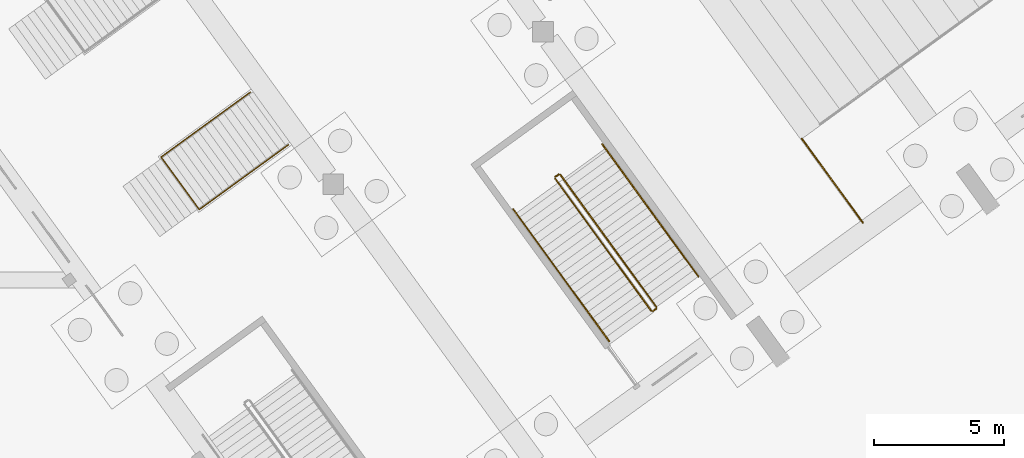
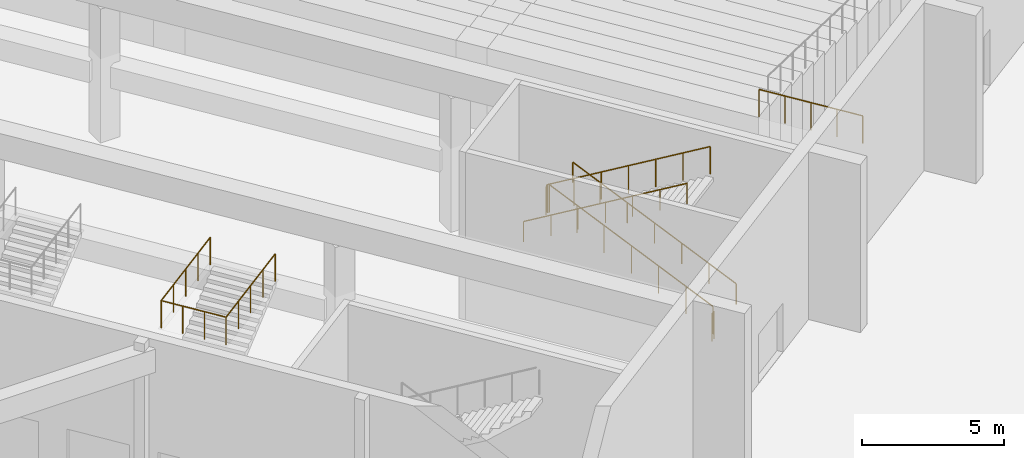
# One storey, part 230 of 239: 8 railings.
"""IFC4 building model written with IfcOpenShell, lengths in metres."""

from ifc_helpers import new_model, si_unit, direction, frame, origin, origin_2d, place, context, subcontext, project, spatial, circle, extrude, material, type_object, element, save


model = new_model("IFC4")

# Units and contexts
model_context = context("Model", 3, precision=1e-05, world=origin(), true_north=direction((0.0, 1.0)))
body_context = subcontext(model_context, "Body", "Model", "MODEL_VIEW")
ifc_project = project(units=[si_unit("LENGTHUNIT", "METRE"), si_unit("AREAUNIT", "SQUARE_METRE"), si_unit("VOLUMEUNIT", "CUBIC_METRE"), si_unit("PLANEANGLEUNIT", "RADIAN"), si_unit("MASSUNIT", "GRAM", prefix="KILO")], contexts=[model_context])

# Site, building, storey
site_placement = place(None, origin())
site = spatial("IfcSite", under=ifc_project, at=site_placement, CompositionType="ELEMENT")
building_placement = place(site_placement, origin())
building = spatial("IfcBuilding", under=site, at=building_placement, Name="Okhra Congress Centre", CompositionType="ELEMENT")
storey_placement = place(building_placement, origin())
storey = spatial("IfcBuildingStorey", under=building, at=storey_placement, Name="L00", CompositionType="ELEMENT", Elevation=0.0)

# Railings
ifc_material_1 = material(Name="Painted steel tube guard with vertical steel balusters", Category="steel")
railing_type_1 = type_object("IfcRailingType", Name="Steel guard 1200", PredefinedType="GUARDRAIL", material=ifc_material_1)
railing_1_placement = place(storey_placement, frame((228.238525390625, 174.434814453125, 3.60009765625)))
element("IfcRailing", 1, at=railing_1_placement, inside=storey, type_object=railing_type_1, Name="Guard round stair opening", PredefinedType="GUARDRAIL", context=body_context, shape_type="SweptSolid", body=[
    extrude(circle(Radius=0.02392578125, at=origin_2d()), frame((0.0, 0.0, 1.17578125), z_axis=(-0.809014219529, -0.587789071521, 0.0), x_axis=(0.587789071521, -0.809014219529, 0.0)), (0.0, 0.0, 1.0), 4.25),
    extrude(circle(Radius=0.02392578125, at=origin_2d()), frame((-3.438232421875, -2.498046875, 1.17578125), z_axis=(-0.587805814474, 0.809002054677, 0.0), x_axis=(-0.809002054677, -0.587805814474, 0.0)), (0.0, 0.0, 1.0), 2.5),
    extrude(circle(Radius=0.02392578125, at=origin_2d()), frame((-4.90771484375, -0.4755859375, 1.17578125), z_axis=(0.808986902224, 0.587826668356, 0.0), x_axis=(-0.587826668356, 0.808986902224, 0.0)), (0.0, 0.0, 1.0), 4.25),
    extrude(circle(Radius=0.02099609375, at=origin_2d()), origin(), (0.0, 0.0, 1.0), 1.15185546875),
    extrude(circle(Radius=0.02099609375, at=origin_2d()), frame((-0.859619140625, -0.62451171875, 0.0)), (0.0, 0.0, 1.0), 1.15185546875),
    extrude(circle(Radius=0.02099609375, at=origin_2d()), frame((-1.71923828125, -1.2490234375, 0.0)), (0.0, 0.0, 1.0), 1.15185546875),
    extrude(circle(Radius=0.02099609375, at=origin_2d()), frame((-2.57861328125, -1.87353515625, 0.0)), (0.0, 0.0, 1.0), 1.15185546875),
    extrude(circle(Radius=0.02099609375, at=origin_2d()), frame((-3.438232421875, -2.498046875, 0.0)), (0.0, 0.0, 1.0), 1.15185546875),
    extrude(circle(Radius=0.02099609375, at=origin_2d()), frame((-3.927978515625, -1.823974609375, 0.0)), (0.0, 0.0, 1.0), 1.15185546875),
    extrude(circle(Radius=0.02099609375, at=origin_2d()), frame((-4.41796875, -1.149658203125, 0.0)), (0.0, 0.0, 1.0), 1.15185546875),
    extrude(circle(Radius=0.02099609375, at=origin_2d()), frame((-4.90771484375, -0.4755859375, 0.0)), (0.0, 0.0, 1.0), 1.15185546875),
    extrude(circle(Radius=0.02099609375, at=origin_2d()), frame((-4.048095703125, 0.14892578125, 0.0)), (0.0, 0.0, 1.0), 1.15185546875),
    extrude(circle(Radius=0.02099609375, at=origin_2d()), frame((-3.1884765625, 0.7734375, 0.0)), (0.0, 0.0, 1.0), 1.15185546875),
    extrude(circle(Radius=0.02099609375, at=origin_2d()), frame((-2.3291015625, 1.398193359375, 0.0)), (0.0, 0.0, 1.0), 1.15185546875),
    extrude(circle(Radius=0.02099609375, at=origin_2d()), frame((-1.469482421875, 2.022705078125, 0.0)), (0.0, 0.0, 1.0), 1.15185546875),
])
railing_2_placement = place(storey_placement, frame((250.385498046875, 171.42822265625, 3.60009765625)))
element("IfcRailing", 2, at=railing_2_placement, inside=storey, type_object=railing_type_1, Name="Promenade edge guard", PredefinedType="GUARDRAIL", context=body_context, shape_type="SweptSolid", body=[
    extrude(circle(Radius=0.02392578125, at=origin_2d()), frame((0.0, 0.0, 1.17578125), z_axis=(-0.587812367542, 0.808997293299, 0.0), x_axis=(-0.808997293299, -0.587812367542, 0.0)), (0.0, 0.0, 1.0), 4.0),
    extrude(circle(Radius=0.02099609375, at=origin_2d()), origin(), (0.0, 0.0, 1.0), 1.15185546875),
    extrude(circle(Radius=0.02099609375, at=origin_2d()), frame((-0.587890625, 0.80908203125, 0.0)), (0.0, 0.0, 1.0), 1.15185546875),
    extrude(circle(Radius=0.02099609375, at=origin_2d()), frame((-1.17578125, 1.6181640625, 0.0)), (0.0, 0.0, 1.0), 1.15185546875),
    extrude(circle(Radius=0.02099609375, at=origin_2d()), frame((-1.763427734375, 2.427001953125, 0.0)), (0.0, 0.0, 1.0), 1.15185546875),
    extrude(circle(Radius=0.02099609375, at=origin_2d()), frame((-2.351318359375, 3.236083984375, 0.0)), (0.0, 0.0, 1.0), 1.15185546875),
])
ifc_material_2 = material(Name="Painted steel tube handrail on wall brackets", Category="steel")
railing_type_2 = type_object("IfcRailingType", Name="Steel handrail 900", PredefinedType="HANDRAIL", material=ifc_material_2)
railing_3_placement = place(storey_placement, frame((244.043212890625, 169.354248046875, 0.16357421875)))
element("IfcRailing", 3, at=railing_3_placement, inside=storey, type_object=railing_type_2, Name="L00 C2 stair handrail 1", PredefinedType="HANDRAIL", context=body_context, shape_type="SweptSolid", body=[
    extrude(circle(Radius=0.02392578125, at=origin_2d()), frame((0.0, 0.0, 0.8759765625), z_axis=(-0.516010571372, 0.710228949007, 0.478861076123), x_axis=(-0.809017516926, -0.587784533062, 0.0)), (0.0, 0.0, 1.0), 7.176513671875),
    extrude(circle(Radius=0.02099609375, at=origin_2d()), origin(), (0.0, 0.0, 1.0), 0.851806640625),
    extrude(circle(Radius=0.02099609375, at=origin_2d()), frame((-0.6171875, 0.849609375, 0.57275390625)), (0.0, 0.0, 1.0), 0.851806640625),
    extrude(circle(Radius=0.02099609375, at=origin_2d()), frame((-1.234375, 1.698974609375, 1.1455078125)), (0.0, 0.0, 1.0), 0.851806640625),
    extrude(circle(Radius=0.02099609375, at=origin_2d()), frame((-1.8515625, 2.54833984375, 1.71826171875)), (0.0, 0.0, 1.0), 0.851806640625),
    extrude(circle(Radius=0.02099609375, at=origin_2d()), frame((-2.46875, 3.39794921875, 2.291015625)), (0.0, 0.0, 1.0), 0.851806640625),
    extrude(circle(Radius=0.02099609375, at=origin_2d()), frame((-3.0859375, 4.24755859375, 2.86376953125)), (0.0, 0.0, 1.0), 0.851806640625),
    extrude(circle(Radius=0.02099609375, at=origin_2d()), frame((-3.703125, 5.096923828125, 3.4365234375)), (0.0, 0.0, 1.0), 0.851806640625),
])
railing_4_placement = place(storey_placement, frame((236.90185546875, 171.953125, 3.763671875)))
element("IfcRailing", 4, at=railing_4_placement, inside=storey, type_object=railing_type_2, Name="L00 C2 stair handrail 2", PredefinedType="HANDRAIL", context=body_context, shape_type="SweptSolid", body=[
    extrude(circle(Radius=0.02392578125, at=origin_2d()), frame((0.0, 0.0, 0.8759765625), z_axis=(0.516018977453, -0.710240519007, 0.478834856781), x_axis=(0.809017516926, 0.587784533062, 0.0)), (0.0, 0.0, 1.0), 7.17626953125),
    extrude(circle(Radius=0.02099609375, at=origin_2d()), origin(), (0.0, 0.0, 1.0), 0.851806640625),
    extrude(circle(Radius=0.02099609375, at=origin_2d()), frame((0.6171875, -0.849609375, 0.57275390625)), (0.0, 0.0, 1.0), 0.851806640625),
    extrude(circle(Radius=0.02099609375, at=origin_2d()), frame((1.234375, -1.698974609375, 1.1455078125)), (0.0, 0.0, 1.0), 0.851806640625),
    extrude(circle(Radius=0.02099609375, at=origin_2d()), frame((1.8515625, -2.54833984375, 1.71826171875)), (0.0, 0.0, 1.0), 0.851806640625),
    extrude(circle(Radius=0.02099609375, at=origin_2d()), frame((2.46875, -3.39794921875, 2.290771484375)), (0.0, 0.0, 1.0), 0.851806640625),
    extrude(circle(Radius=0.02099609375, at=origin_2d()), frame((3.0859375, -4.24755859375, 2.863525390625)), (0.0, 0.0, 1.0), 0.851806640625),
    extrude(circle(Radius=0.02099609375, at=origin_2d()), frame((3.703125, -5.096923828125, 3.436279296875)), (0.0, 0.0, 1.0), 0.851806640625),
])
railing_type_3 = type_object("IfcRailingType", Name="Steel stair guard 1200", PredefinedType="GUARDRAIL", material=ifc_material_1)
railing_5_placement = place(storey_placement, frame((242.42529296875, 168.1787109375, 0.16357421875)))
element("IfcRailing", 5, at=railing_5_placement, inside=storey, type_object=railing_type_3, Name="L00 C2 stair guard 1", PredefinedType="GUARDRAIL", context=body_context, shape_type="SweptSolid", body=[
    extrude(circle(Radius=0.02392578125, at=origin_2d()), frame((0.0, 0.0, 1.17578125), z_axis=(-0.516010571372, 0.710228949007, 0.478861076123), x_axis=(-0.809017516926, -0.587784533062, 0.0)), (0.0, 0.0, 1.0), 7.176513671875),
    extrude(circle(Radius=0.02099609375, at=origin_2d()), origin(), (0.0, 0.0, 1.0), 1.15185546875),
    extrude(circle(Radius=0.02099609375, at=origin_2d()), frame((-0.6171875, 0.849609375, 0.57275390625)), (0.0, 0.0, 1.0), 1.15185546875),
    extrude(circle(Radius=0.02099609375, at=origin_2d()), frame((-1.234375, 1.698974609375, 1.1455078125)), (0.0, 0.0, 1.0), 1.15185546875),
    extrude(circle(Radius=0.02099609375, at=origin_2d()), frame((-1.8515625, 2.54833984375, 1.71826171875)), (0.0, 0.0, 1.0), 1.15185546875),
    extrude(circle(Radius=0.02099609375, at=origin_2d()), frame((-2.46875, 3.39794921875, 2.291015625)), (0.0, 0.0, 1.0), 1.15185546875),
    extrude(circle(Radius=0.02099609375, at=origin_2d()), frame((-3.0859375, 4.24755859375, 2.86376953125)), (0.0, 0.0, 1.0), 1.15185546875),
    extrude(circle(Radius=0.02099609375, at=origin_2d()), frame((-3.703125, 5.096923828125, 3.4365234375)), (0.0, 0.0, 1.0), 1.15185546875),
])
railing_6_placement = place(storey_placement, frame((238.65234375, 173.28662109375, 3.60009765625)))
element("IfcRailing", 6, at=railing_6_placement, inside=storey, type_object=railing_type_3, Name="L00 C2 stair guard 2", PredefinedType="GUARDRAIL", context=body_context, shape_type="SweptSolid", body=[
    extrude(circle(Radius=0.02392578125, at=origin_2d()), frame((0.0, 0.0, 1.17578125), z_axis=(-0.809087927272, -0.587687609145, 0.0), x_axis=(0.587687609145, -0.809087927272, 0.0)), (0.0, 0.0, 1.0), 0.14990234375),
    extrude(circle(Radius=0.02099609375, at=origin_2d()), origin(), (0.0, 0.0, 1.0), 1.15185546875),
    extrude(circle(Radius=0.02099609375, at=origin_2d()), frame((-0.121337890625, -0.088134765625, 0.0)), (0.0, 0.0, 1.0), 1.15185546875),
])
railing_7_placement = place(storey_placement, frame((238.519775390625, 173.128662109375, 3.763671875)))
element("IfcRailing", 7, at=railing_7_placement, inside=storey, type_object=railing_type_3, Name="L00 C2 stair guard 3", PredefinedType="GUARDRAIL", context=body_context, shape_type="SweptSolid", body=[
    extrude(circle(Radius=0.02392578125, at=origin_2d()), frame((0.0, 0.0, 1.17578125), z_axis=(0.516018977453, -0.710240519007, 0.478834856781), x_axis=(0.809017516926, 0.587784533062, 0.0)), (0.0, 0.0, 1.0), 7.17626953125),
    extrude(circle(Radius=0.02099609375, at=origin_2d()), origin(), (0.0, 0.0, 1.0), 1.15185546875),
    extrude(circle(Radius=0.02099609375, at=origin_2d()), frame((0.6171875, -0.849609375, 0.57275390625)), (0.0, 0.0, 1.0), 1.15185546875),
    extrude(circle(Radius=0.02099609375, at=origin_2d()), frame((1.234375, -1.698974609375, 1.1455078125)), (0.0, 0.0, 1.0), 1.15185546875),
    extrude(circle(Radius=0.02099609375, at=origin_2d()), frame((1.8515625, -2.54833984375, 1.71826171875)), (0.0, 0.0, 1.0), 1.15185546875),
    extrude(circle(Radius=0.02099609375, at=origin_2d()), frame((2.46875, -3.39794921875, 2.290771484375)), (0.0, 0.0, 1.0), 1.15185546875),
    extrude(circle(Radius=0.02099609375, at=origin_2d()), frame((3.0859375, -4.24755859375, 2.863525390625)), (0.0, 0.0, 1.0), 1.15185546875),
    extrude(circle(Radius=0.02099609375, at=origin_2d()), frame((3.703125, -5.096923828125, 3.436279296875)), (0.0, 0.0, 1.0), 1.15185546875),
])
railing_8_placement = place(storey_placement, frame((242.4140625, 168.10888671875, 0.0)))
element("IfcRailing", 8, at=railing_8_placement, inside=storey, type_object=railing_type_3, Name="L00 C2 stair guard 4", PredefinedType="GUARDRAIL", context=body_context, shape_type="SweptSolid", body=[
    extrude(circle(Radius=0.02392578125, at=origin_2d()), frame((0.0, 0.0, 1.17578125), z_axis=(-0.809087927272, -0.587687609145, 0.0), x_axis=(0.587687609145, -0.809087927272, 0.0)), (0.0, 0.0, 1.0), 0.14990234375),
    extrude(circle(Radius=0.02099609375, at=origin_2d()), origin(), (0.0, 0.0, 1.0), 1.15185546875),
    extrude(circle(Radius=0.02099609375, at=origin_2d()), frame((-0.121337890625, -0.088134765625, 0.0)), (0.0, 0.0, 1.0), 1.15185546875),
])

save(model, "model.ifc")
